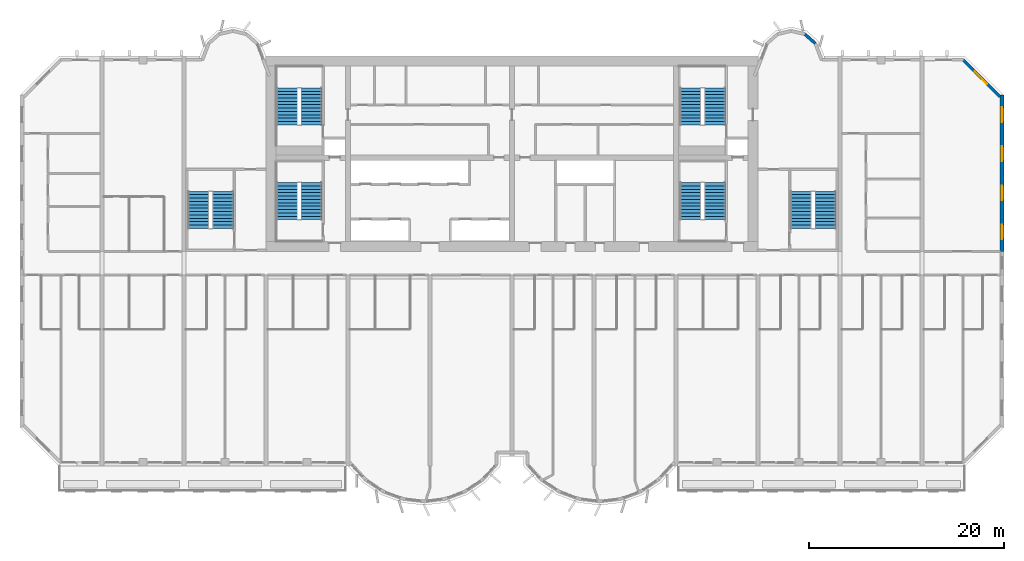
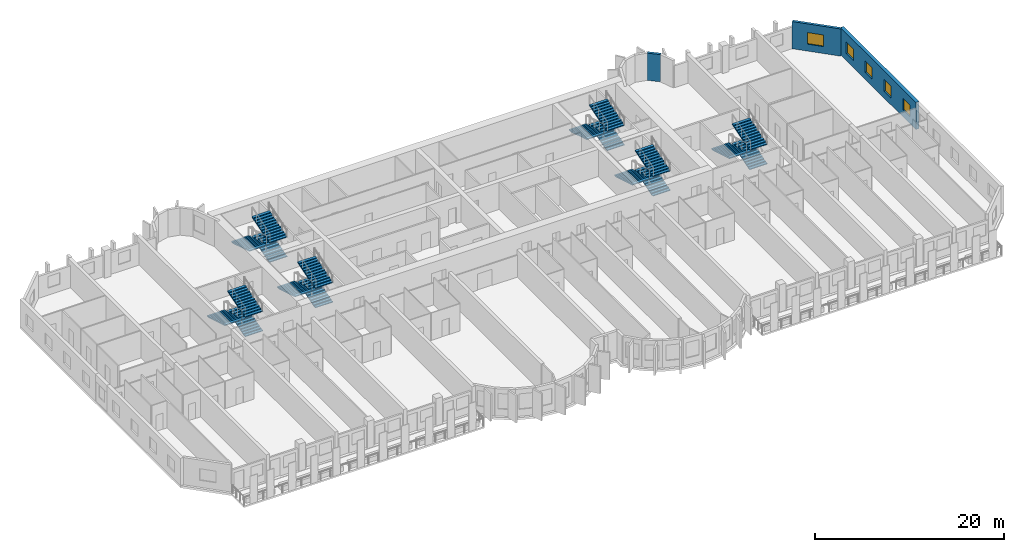
# One storey, part 11 of 14: 18 stair flights, 5 windows, 3 walls, 5 openings, 6 elements without a shape of their own.
"""IFC4 building model written with IfcOpenShell, lengths in metres."""

from ifc_helpers import new_model, si_unit, direction, frame, frame_2d, origin, place, context, subcontext, project, spatial, polyline, rectangle, outline, extrude, source, transform, mapped, material, layer, layer_set, type_object, element, fill, aggregate, save


model = new_model("IFC4")

# Units and contexts
model_context = context("Model", 3, precision=1e-05, world=origin(), true_north=direction((0.0, 1.0)))
body_context = subcontext(model_context, "Body", "Model", "MODEL_VIEW")
ifc_project = project(units=[si_unit("LENGTHUNIT", "METRE"), si_unit("AREAUNIT", "SQUARE_METRE"), si_unit("VOLUMEUNIT", "CUBIC_METRE"), si_unit("PLANEANGLEUNIT", "RADIAN"), si_unit("MASSUNIT", "GRAM", prefix="KILO")], contexts=[model_context])

# Site, building, storey
site_placement = place(None, origin())
site = spatial("IfcSite", under=ifc_project, at=site_placement, CompositionType="ELEMENT")
building_placement = place(site_placement, origin())
building = spatial("IfcBuilding", under=site, at=building_placement, Name="Vanashikhar Sky Hotel", CompositionType="ELEMENT")
storey_placement = place(building_placement, frame((0.0, 0.0, 50.60009765625)))
storey = spatial("IfcBuildingStorey", under=building, at=storey_placement, Name="L11", CompositionType="ELEMENT", Elevation=50.60009765625)

# Wall, openings, windows
ifc_material_1 = material(Name="Concrete M80", Category="concrete")
ifc_layer_1 = layer(ifc_material_1, 0.39990234375)
ifc_layer_set_1 = layer_set([ifc_layer_1], Name="RC shear wall 400 Concrete M80")
wall_type_1 = type_object("IfcWallType", Name="RC shear wall 400 Concrete M80", PredefinedType="SHEAR", material=ifc_layer_set_1)
shared_shape_1 = source(origin(), body_context, "Body", "SweptSolid", [
    extrude(rectangle(XDim=16.0, YDim=0.39990234375, at=frame_2d((8.0, 0.0))), origin(), (0.0, 0.0, 1.0), 3.52001953125),
])
wall_1_placement = place(storey_placement, frame((100.60009765625, 22.0, 0.0), z_axis=(0.0, 0.0, 1.0), x_axis=(0.0, 1.0, 0.0)))
wall_1 = element("IfcWall", 1, at=wall_1_placement, inside=storey, type_object=wall_type_1, Name="CW-L11-XW13-2", PredefinedType="SHEAR", context=body_context, shape_type="MappedRepresentation", body=[
    mapped(shared_shape_1, transform((0.0, 0.0, 0.0), scale=1.0)),
])
shared_shape_2 = source(origin(), body_context, "Body", "SweptSolid", [
    extrude(rectangle(XDim=1.5, YDim=1.5, at=frame_2d((0.75, 0.75))), frame((0.0, 0.2099609375, 0.0), z_axis=(0.0, -1.0, 0.0), x_axis=(1.0, 0.0, 0.0)), (0.0, 0.0, 1.0), 0.419921875),
])
opening_1_placement = place(wall_1_placement, frame((1.25, 0.0, 0.89990234375)))
opening_1 = element("IfcOpeningElement", 2, at=opening_1_placement, cuts=wall_1, Name="Opening WN-1", PredefinedType="OPENING", context=body_context, shape_type="MappedRepresentation", body=[
    mapped(shared_shape_2, transform((0.0, 0.0, 0.0), scale=1.0)),
])
opening_2_placement = place(wall_1_placement, frame((5.25, 0.0, 0.89990234375)))
opening_2 = element("IfcOpeningElement", 3, at=opening_2_placement, cuts=wall_1, Name="Opening WN-1", PredefinedType="OPENING", context=body_context, shape_type="MappedRepresentation", body=[
    mapped(shared_shape_2, transform((0.0, 0.0, 0.0), scale=1.0)),
])
opening_3_placement = place(wall_1_placement, frame((9.25, 0.0, 0.89990234375)))
opening_3 = element("IfcOpeningElement", 4, at=opening_3_placement, cuts=wall_1, Name="Opening WN-1", PredefinedType="OPENING", context=body_context, shape_type="MappedRepresentation", body=[
    mapped(shared_shape_2, transform((0.0, 0.0, 0.0), scale=1.0)),
])
opening_4_placement = place(wall_1_placement, frame((13.25, 0.0, 0.89990234375)))
opening_4 = element("IfcOpeningElement", 5, at=opening_4_placement, cuts=wall_1, Name="Opening WN-1", PredefinedType="OPENING", context=body_context, shape_type="MappedRepresentation", body=[
    mapped(shared_shape_2, transform((0.0, 0.0, 0.0), scale=1.0)),
])
ifc_material_2 = material(Name="Glass", Category="glass")
window_type_1 = type_object("IfcWindowType", Name="Window 1500 x 1500", PartitioningType="SINGLE_PANEL", PredefinedType="WINDOW", material=ifc_material_2)
shared_shape_3 = source(origin(), body_context, "Body", "SweptSolid", [
    extrude(rectangle(XDim=1.5, YDim=1.5, at=frame_2d((0.75, 0.75))), frame((0.0, 0.030029296875, 0.0), z_axis=(0.0, -1.0, 0.0), x_axis=(1.0, 0.0, 0.0)), (0.0, 0.0, 1.0), 0.06005859375),
])
window_1_placement = place(opening_1_placement, origin())
window_1 = element("IfcWindow", 6, at=window_1_placement, inside=storey, type_object=window_type_1, Name="Window WN-1", OverallHeight=1.5, OverallWidth=1.5, PartitioningType="SINGLE_PANEL", PredefinedType="WINDOW", context=body_context, shape_type="MappedRepresentation", body=[
    mapped(shared_shape_3, transform((0.0, 0.0, 0.0), scale=1.0)),
])
fill(opening_1, window_1)
window_2_placement = place(opening_2_placement, origin())
window_2 = element("IfcWindow", 7, at=window_2_placement, inside=storey, type_object=window_type_1, Name="Window WN-1", OverallHeight=1.5, OverallWidth=1.5, PartitioningType="SINGLE_PANEL", PredefinedType="WINDOW", context=body_context, shape_type="MappedRepresentation", body=[
    mapped(shared_shape_3, transform((0.0, 0.0, 0.0), scale=1.0)),
])
fill(opening_2, window_2)
window_3_placement = place(opening_3_placement, origin())
window_3 = element("IfcWindow", 8, at=window_3_placement, inside=storey, type_object=window_type_1, Name="Window WN-1", OverallHeight=1.5, OverallWidth=1.5, PartitioningType="SINGLE_PANEL", PredefinedType="WINDOW", context=body_context, shape_type="MappedRepresentation", body=[
    mapped(shared_shape_3, transform((0.0, 0.0, 0.0), scale=1.0)),
])
fill(opening_3, window_3)
window_4_placement = place(opening_4_placement, origin())
window_4 = element("IfcWindow", 9, at=window_4_placement, inside=storey, type_object=window_type_1, Name="Window WN-1", OverallHeight=1.5, OverallWidth=1.5, PartitioningType="SINGLE_PANEL", PredefinedType="WINDOW", context=body_context, shape_type="MappedRepresentation", body=[
    mapped(shared_shape_3, transform((0.0, 0.0, 0.0), scale=1.0)),
])
fill(opening_4, window_4)

# Wall, opening, window
ifc_material_3 = material(Name="Concrete M50", Category="concrete")
ifc_layer_2 = layer(ifc_material_3, 0.300048828125)
ifc_layer_set_2 = layer_set([ifc_layer_2], Name="Lobe wall 300")
wall_type_2 = type_object("IfcWallType", Name="Lobe wall 300", PredefinedType="SOLIDWALL", material=ifc_layer_set_2)
shared_shape_4 = source(origin(), body_context, "Body", "SweptSolid", [
    extrude(rectangle(XDim=5.32568359375, YDim=0.300048828125, at=frame_2d((2.662841796875, 0.0))), origin(), (0.0, 0.0, 1.0), 3.52001953125),
])
wall_2_placement = place(storey_placement, frame((100.39990234375, 37.834228515625, 0.0), z_axis=(0.0, 0.0, 1.0), x_axis=(-0.707083859269, 0.707129702361, 0.0)))
wall_2 = element("IfcWall", 10, at=wall_2_placement, inside=storey, type_object=wall_type_2, Name="Corner wall", PredefinedType="SOLIDWALL", context=body_context, shape_type="MappedRepresentation", body=[
    mapped(shared_shape_4, transform((0.0, 0.0, 0.0), scale=1.0)),
])
shared_shape_5 = source(origin(), body_context, "Body", "SweptSolid", [
    extrude(rectangle(XDim=1.800048828125, YDim=1.5, at=frame_2d((0.89990234375, 0.75))), frame((0.0, 0.16015625, 0.0), z_axis=(0.0, -1.0, 0.0), x_axis=(1.0, 0.0, 0.0)), (0.0, 0.0, 1.0), 0.320068359375),
])
opening_5_placement = place(wall_2_placement, frame((1.871337890625, 0.0, 0.89990234375)))
opening_5 = element("IfcOpeningElement", 11, at=opening_5_placement, cuts=wall_2, Name="Opening WN-4", PredefinedType="OPENING", context=body_context, shape_type="MappedRepresentation", body=[
    mapped(shared_shape_5, transform((0.0, 0.0, 0.0), scale=1.0)),
])
window_type_2 = type_object("IfcWindowType", Name="Corner window 1800 x 1500", PartitioningType="SINGLE_PANEL", PredefinedType="WINDOW", material=ifc_material_2)
shared_shape_6 = source(origin(), body_context, "Body", "SweptSolid", [
    extrude(rectangle(XDim=1.800048828125, YDim=1.5, at=frame_2d((0.89990234375, 0.75))), frame((0.0, 0.030029296875, 0.0), z_axis=(0.0, -1.0, 0.0), x_axis=(1.0, 0.0, 0.0)), (0.0, 0.0, 1.0), 0.06005859375),
])
window_5_placement = place(opening_5_placement, origin())
window_5 = element("IfcWindow", 12, at=window_5_placement, inside=storey, type_object=window_type_2, Name="Window WN-4", OverallHeight=1.5, OverallWidth=1.800048828125, PartitioningType="SINGLE_PANEL", PredefinedType="WINDOW", context=body_context, shape_type="MappedRepresentation", body=[
    mapped(shared_shape_6, transform((0.0, 0.0, 0.0), scale=1.0)),
])
fill(opening_5, window_5)

# Wall
shared_shape_7 = source(origin(), body_context, "Body", "SweptSolid", [
    extrude(rectangle(XDim=1.43994140625, YDim=0.300048828125, at=frame_2d((0.719970703125, 0.0))), origin(), (0.0, 0.0, 1.0), 3.52001953125),
])
wall_3_placement = place(storey_placement, frame((81.4765625, 43.2919921875, 0.0), z_axis=(0.0, 0.0, 1.0), x_axis=(-0.74957555648, 0.661918790432, 0.0)))
element("IfcWall", 13, at=wall_3_placement, inside=storey, type_object=wall_type_2, Name="Lobe wall", PredefinedType="SOLIDWALL", context=body_context, shape_type="MappedRepresentation", body=[
    mapped(shared_shape_7, transform((0.0, 0.0, 0.0), scale=1.0)),
])

# Stair, stair flights
ifc_material_4 = material(Name="Concrete M40", Category="concrete")
stair_type = type_object("IfcStairType", Name="Exit stair 2150", PredefinedType="DOUBLE_RETURN_STAIR", material=ifc_material_4)
stair_1_placement = place(storey_placement, origin())
stair_1 = element("IfcStair", 14, at=stair_1_placement, inside=storey, type_object=stair_type, Name="L11 Exit stair 1", PredefinedType="DOUBLE_RETURN_STAIR")
stair_flight_type = type_object("IfcStairFlightType", Name="Stair flight 2150", PredefinedType="STRAIGHT", material=ifc_material_4)
shared_shape_8 = source(origin(), body_context, "Body", "SweptSolid", [
    extrude(outline(polyline([(0.0, 0.0), (0.0, 0.10546875), (0.345458984375, 0.10546875), (0.345458984375, 0.211181640625), (0.69091796875, 0.211181640625), (0.69091796875, 0.316650390625), (1.036376953125, 0.316650390625), (1.036376953125, 0.422119140625), (1.3818359375, 0.422119140625), (1.3818359375, 0.52783203125), (1.727294921875, 0.52783203125), (1.727294921875, 0.63330078125), (2.07275390625, 0.63330078125), (2.07275390625, 0.73876953125), (2.418212890625, 0.73876953125), (2.418212890625, 0.844482421875), (2.763671875, 0.844482421875), (2.763671875, 0.949951171875), (3.109130859375, 0.949951171875), (3.109130859375, 1.0556640625), (3.45458984375, 1.0556640625), (3.45458984375, 1.1611328125), (3.800048828125, 1.1611328125), (3.800048828125, 1.2666015625), (3.800048828125, 1.035400390625), (0.4111328125, 0.0), (0.0, 0.0)])), frame((0.0, 1.074951171875, 0.0), z_axis=(0.0, -1.0, 0.0), x_axis=(1.0, 0.0, 0.0)), (0.0, 0.0, 1.0), 2.14990234375),
])
stair_flight_1_placement = place(storey_placement, frame((29.875, 25.25, 0.0), z_axis=(0.0, 0.0, 1.0), x_axis=(0.0, 1.0, 0.0)))
stair_flight_1 = element("IfcStairFlight", 15, at=stair_flight_1_placement, type_object=stair_flight_type, Name="ST-C1 flight 1", NumberOfRisers=12, NumberOfTreads=11, PredefinedType="STRAIGHT", RiserHeight=0.105555556, TreadLength=0.345454545, context=body_context, shape_type="MappedRepresentation", body=[
    mapped(shared_shape_8, transform((0.0, 0.0, 0.0), scale=1.0)),
])
stair_flight_2_placement = place(storey_placement, frame((27.375, 29.050048828125, 1.2666015625), z_axis=(0.0, 0.0, 1.0), x_axis=(0.0, -1.0, 0.0)))
stair_flight_2 = element("IfcStairFlight", 16, at=stair_flight_2_placement, type_object=stair_flight_type, Name="ST-C1 flight 2", NumberOfRisers=12, NumberOfTreads=11, PredefinedType="STRAIGHT", RiserHeight=0.105555556, TreadLength=0.345454545, context=body_context, shape_type="MappedRepresentation", body=[
    mapped(shared_shape_8, transform((0.0, 0.0, 0.0), scale=1.0)),
])
stair_flight_3_placement = place(storey_placement, frame((29.875, 25.25, 2.533203125), z_axis=(0.0, 0.0, 1.0), x_axis=(0.0, 1.0, 0.0)))
stair_flight_3 = element("IfcStairFlight", 17, at=stair_flight_3_placement, type_object=stair_flight_type, Name="ST-C1 flight 3", NumberOfRisers=12, NumberOfTreads=11, PredefinedType="STRAIGHT", RiserHeight=0.105555556, TreadLength=0.345454545, context=body_context, shape_type="MappedRepresentation", body=[
    mapped(shared_shape_8, transform((0.0, 0.0, 0.0), scale=1.0)),
])
aggregate(stair_1, [stair_flight_1, stair_flight_2, stair_flight_3])

stair_2_placement = place(storey_placement, origin())
stair_2 = element("IfcStair", 18, at=stair_2_placement, inside=storey, type_object=stair_type, Name="L11 Exit stair 2", PredefinedType="DOUBLE_RETURN_STAIR")
stair_flight_4_placement = place(storey_placement, frame((71.175048828125, 25.25, 0.0), z_axis=(0.0, 0.0, 1.0), x_axis=(0.0, 1.0, 0.0)))
stair_flight_4 = element("IfcStairFlight", 19, at=stair_flight_4_placement, type_object=stair_flight_type, Name="ST-C2 flight 1", NumberOfRisers=12, NumberOfTreads=11, PredefinedType="STRAIGHT", RiserHeight=0.105555556, TreadLength=0.345454545, context=body_context, shape_type="MappedRepresentation", body=[
    mapped(shared_shape_8, transform((0.0, 0.0, 0.0), scale=1.0)),
])
stair_flight_5_placement = place(storey_placement, frame((68.675048828125, 29.050048828125, 1.2666015625), z_axis=(0.0, 0.0, 1.0), x_axis=(0.0, -1.0, 0.0)))
stair_flight_5 = element("IfcStairFlight", 20, at=stair_flight_5_placement, type_object=stair_flight_type, Name="ST-C2 flight 2", NumberOfRisers=12, NumberOfTreads=11, PredefinedType="STRAIGHT", RiserHeight=0.105555556, TreadLength=0.345454545, context=body_context, shape_type="MappedRepresentation", body=[
    mapped(shared_shape_8, transform((0.0, 0.0, 0.0), scale=1.0)),
])
stair_flight_6_placement = place(storey_placement, frame((71.175048828125, 25.25, 2.533203125), z_axis=(0.0, 0.0, 1.0), x_axis=(0.0, 1.0, 0.0)))
stair_flight_6 = element("IfcStairFlight", 21, at=stair_flight_6_placement, type_object=stair_flight_type, Name="ST-C2 flight 3", NumberOfRisers=12, NumberOfTreads=11, PredefinedType="STRAIGHT", RiserHeight=0.105555556, TreadLength=0.345454545, context=body_context, shape_type="MappedRepresentation", body=[
    mapped(shared_shape_8, transform((0.0, 0.0, 0.0), scale=1.0)),
])
aggregate(stair_2, [stair_flight_4, stair_flight_5, stair_flight_6])

stair_3_placement = place(storey_placement, origin())
stair_3 = element("IfcStair", 22, at=stair_3_placement, inside=storey, type_object=stair_type, Name="L11 Exit stair 3", PredefinedType="DOUBLE_RETURN_STAIR")
stair_flight_7_placement = place(storey_placement, frame((20.77490234375, 24.35009765625, 0.0), z_axis=(0.0, 0.0, 1.0), x_axis=(0.0, 1.0, 0.0)))
stair_flight_7 = element("IfcStairFlight", 23, at=stair_flight_7_placement, type_object=stair_flight_type, Name="ST-W flight 1", NumberOfRisers=12, NumberOfTreads=11, PredefinedType="STRAIGHT", RiserHeight=0.105555556, TreadLength=0.345454545, context=body_context, shape_type="MappedRepresentation", body=[
    mapped(shared_shape_8, transform((0.0, 0.0, 0.0), scale=1.0)),
])
stair_flight_8_placement = place(storey_placement, frame((18.27490234375, 28.14990234375, 1.2666015625), z_axis=(0.0, 0.0, 1.0), x_axis=(0.0, -1.0, 0.0)))
stair_flight_8 = element("IfcStairFlight", 24, at=stair_flight_8_placement, type_object=stair_flight_type, Name="ST-W flight 2", NumberOfRisers=12, NumberOfTreads=11, PredefinedType="STRAIGHT", RiserHeight=0.105555556, TreadLength=0.345454545, context=body_context, shape_type="MappedRepresentation", body=[
    mapped(shared_shape_8, transform((0.0, 0.0, 0.0), scale=1.0)),
])
stair_flight_9_placement = place(storey_placement, frame((20.77490234375, 24.35009765625, 2.533203125), z_axis=(0.0, 0.0, 1.0), x_axis=(0.0, 1.0, 0.0)))
stair_flight_9 = element("IfcStairFlight", 25, at=stair_flight_9_placement, type_object=stair_flight_type, Name="ST-W flight 3", NumberOfRisers=12, NumberOfTreads=11, PredefinedType="STRAIGHT", RiserHeight=0.105555556, TreadLength=0.345454545, context=body_context, shape_type="MappedRepresentation", body=[
    mapped(shared_shape_8, transform((0.0, 0.0, 0.0), scale=1.0)),
])
aggregate(stair_3, [stair_flight_7, stair_flight_8, stair_flight_9])

stair_4_placement = place(storey_placement, origin())
stair_4 = element("IfcStair", 26, at=stair_4_placement, inside=storey, type_object=stair_type, Name="L11 Exit stair 4", PredefinedType="DOUBLE_RETURN_STAIR")
stair_flight_10_placement = place(storey_placement, frame((82.52490234375, 24.35009765625, 0.0), z_axis=(0.0, 0.0, 1.0), x_axis=(0.0, 1.0, 0.0)))
stair_flight_10 = element("IfcStairFlight", 27, at=stair_flight_10_placement, type_object=stair_flight_type, Name="ST-E flight 1", NumberOfRisers=12, NumberOfTreads=11, PredefinedType="STRAIGHT", RiserHeight=0.105555556, TreadLength=0.345454545, context=body_context, shape_type="MappedRepresentation", body=[
    mapped(shared_shape_8, transform((0.0, 0.0, 0.0), scale=1.0)),
])
stair_flight_11_placement = place(storey_placement, frame((80.02490234375, 28.14990234375, 1.2666015625), z_axis=(0.0, 0.0, 1.0), x_axis=(0.0, -1.0, 0.0)))
stair_flight_11 = element("IfcStairFlight", 28, at=stair_flight_11_placement, type_object=stair_flight_type, Name="ST-E flight 2", NumberOfRisers=12, NumberOfTreads=11, PredefinedType="STRAIGHT", RiserHeight=0.105555556, TreadLength=0.345454545, context=body_context, shape_type="MappedRepresentation", body=[
    mapped(shared_shape_8, transform((0.0, 0.0, 0.0), scale=1.0)),
])
stair_flight_12_placement = place(storey_placement, frame((82.52490234375, 24.35009765625, 2.533203125), z_axis=(0.0, 0.0, 1.0), x_axis=(0.0, 1.0, 0.0)))
stair_flight_12 = element("IfcStairFlight", 29, at=stair_flight_12_placement, type_object=stair_flight_type, Name="ST-E flight 3", NumberOfRisers=12, NumberOfTreads=11, PredefinedType="STRAIGHT", RiserHeight=0.105555556, TreadLength=0.345454545, context=body_context, shape_type="MappedRepresentation", body=[
    mapped(shared_shape_8, transform((0.0, 0.0, 0.0), scale=1.0)),
])
aggregate(stair_4, [stair_flight_10, stair_flight_11, stair_flight_12])

stair_5_placement = place(storey_placement, origin())
stair_5 = element("IfcStair", 30, at=stair_5_placement, inside=storey, type_object=stair_type, Name="L11 Exit stair 5", PredefinedType="DOUBLE_RETURN_STAIR")
stair_flight_13_placement = place(storey_placement, frame((29.875, 34.949951171875, 0.0), z_axis=(0.0, 0.0, 1.0), x_axis=(0.0, 1.0, 0.0)))
stair_flight_13 = element("IfcStairFlight", 31, at=stair_flight_13_placement, type_object=stair_flight_type, Name="ST-C3 flight 1", NumberOfRisers=12, NumberOfTreads=11, PredefinedType="STRAIGHT", RiserHeight=0.105555556, TreadLength=0.345454545, context=body_context, shape_type="MappedRepresentation", body=[
    mapped(shared_shape_8, transform((0.0, 0.0, 0.0), scale=1.0)),
])
stair_flight_14_placement = place(storey_placement, frame((27.375, 38.75, 1.2666015625), z_axis=(0.0, 0.0, 1.0), x_axis=(0.0, -1.0, 0.0)))
stair_flight_14 = element("IfcStairFlight", 32, at=stair_flight_14_placement, type_object=stair_flight_type, Name="ST-C3 flight 2", NumberOfRisers=12, NumberOfTreads=11, PredefinedType="STRAIGHT", RiserHeight=0.105555556, TreadLength=0.345454545, context=body_context, shape_type="MappedRepresentation", body=[
    mapped(shared_shape_8, transform((0.0, 0.0, 0.0), scale=1.0)),
])
stair_flight_15_placement = place(storey_placement, frame((29.875, 34.949951171875, 2.533203125), z_axis=(0.0, 0.0, 1.0), x_axis=(0.0, 1.0, 0.0)))
stair_flight_15 = element("IfcStairFlight", 33, at=stair_flight_15_placement, type_object=stair_flight_type, Name="ST-C3 flight 3", NumberOfRisers=12, NumberOfTreads=11, PredefinedType="STRAIGHT", RiserHeight=0.105555556, TreadLength=0.345454545, context=body_context, shape_type="MappedRepresentation", body=[
    mapped(shared_shape_8, transform((0.0, 0.0, 0.0), scale=1.0)),
])
aggregate(stair_5, [stair_flight_13, stair_flight_14, stair_flight_15])

stair_6_placement = place(storey_placement, origin())
stair_6 = element("IfcStair", 34, at=stair_6_placement, inside=storey, type_object=stair_type, Name="L11 Exit stair 6", PredefinedType="DOUBLE_RETURN_STAIR")
stair_flight_16_placement = place(storey_placement, frame((71.175048828125, 34.949951171875, 0.0), z_axis=(0.0, 0.0, 1.0), x_axis=(0.0, 1.0, 0.0)))
stair_flight_16 = element("IfcStairFlight", 35, at=stair_flight_16_placement, type_object=stair_flight_type, Name="ST-C4 flight 1", NumberOfRisers=12, NumberOfTreads=11, PredefinedType="STRAIGHT", RiserHeight=0.105555556, TreadLength=0.345454545, context=body_context, shape_type="MappedRepresentation", body=[
    mapped(shared_shape_8, transform((0.0, 0.0, 0.0), scale=1.0)),
])
stair_flight_17_placement = place(storey_placement, frame((68.675048828125, 38.75, 1.2666015625), z_axis=(0.0, 0.0, 1.0), x_axis=(0.0, -1.0, 0.0)))
stair_flight_17 = element("IfcStairFlight", 36, at=stair_flight_17_placement, type_object=stair_flight_type, Name="ST-C4 flight 2", NumberOfRisers=12, NumberOfTreads=11, PredefinedType="STRAIGHT", RiserHeight=0.105555556, TreadLength=0.345454545, context=body_context, shape_type="MappedRepresentation", body=[
    mapped(shared_shape_8, transform((0.0, 0.0, 0.0), scale=1.0)),
])
stair_flight_18_placement = place(storey_placement, frame((71.175048828125, 34.949951171875, 2.533203125), z_axis=(0.0, 0.0, 1.0), x_axis=(0.0, 1.0, 0.0)))
stair_flight_18 = element("IfcStairFlight", 37, at=stair_flight_18_placement, type_object=stair_flight_type, Name="ST-C4 flight 3", NumberOfRisers=12, NumberOfTreads=11, PredefinedType="STRAIGHT", RiserHeight=0.105555556, TreadLength=0.345454545, context=body_context, shape_type="MappedRepresentation", body=[
    mapped(shared_shape_8, transform((0.0, 0.0, 0.0), scale=1.0)),
])
aggregate(stair_6, [stair_flight_16, stair_flight_17, stair_flight_18])

save(model, "model.ifc")
